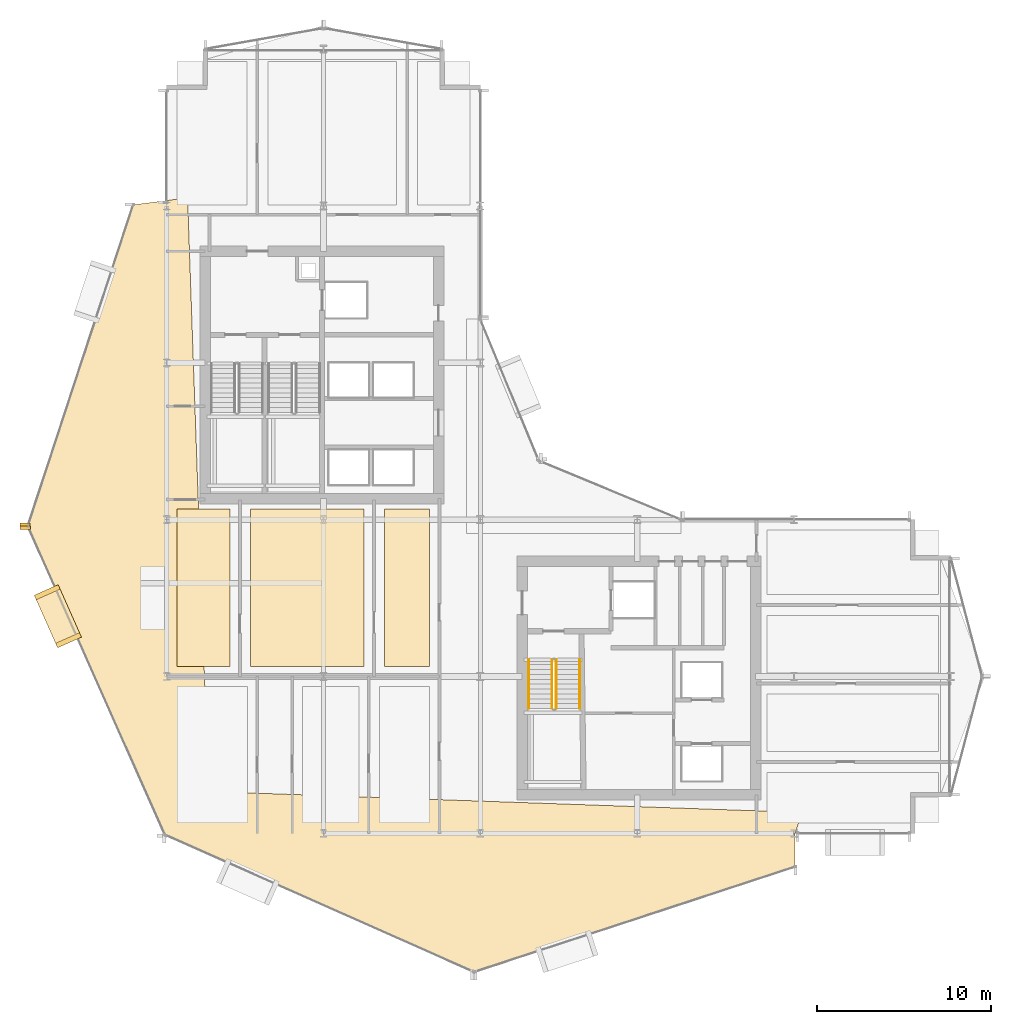
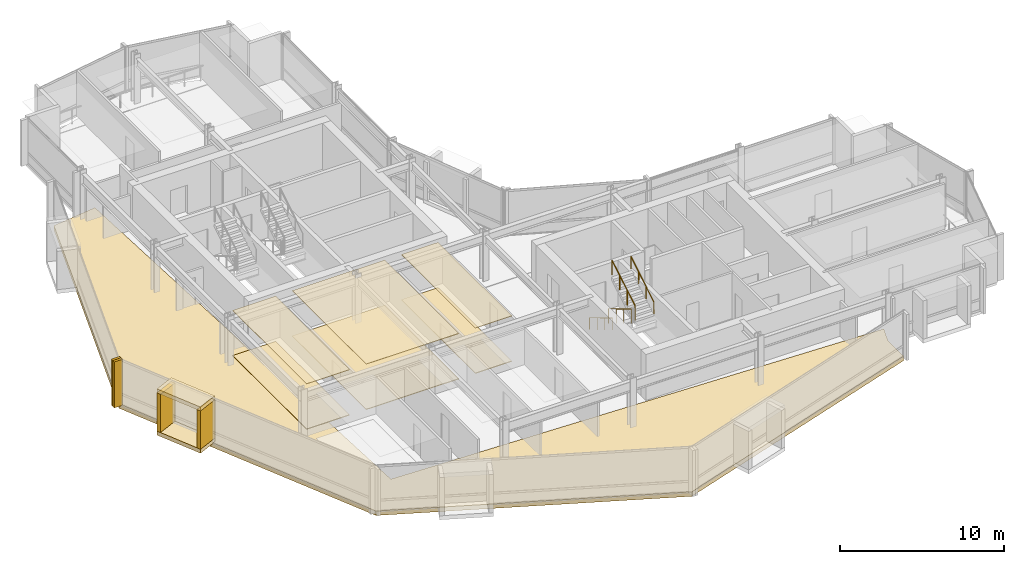
# One storey, part 26 of 29: 13 coverings, 4 railings.
"""IFC4 building model written with IfcOpenShell, lengths in metres."""

from ifc_helpers import new_model, si_unit, direction, frame, origin, origin_2d, place, context, subcontext, project, spatial, polyline, rectangle, circle, outline, extrude, material, layer, layer_set, type_object, element, save


model = new_model("IFC4")

# Units and contexts
model_context = context("Model", 3, precision=1e-05, world=origin(), true_north=direction((0.0, 1.0)))
body_context = subcontext(model_context, "Body", "Model", "MODEL_VIEW")
ifc_project = project(units=[si_unit("LENGTHUNIT", "METRE"), si_unit("AREAUNIT", "SQUARE_METRE"), si_unit("VOLUMEUNIT", "CUBIC_METRE"), si_unit("PLANEANGLEUNIT", "RADIAN"), si_unit("MASSUNIT", "GRAM", prefix="KILO")], contexts=[model_context])

# Site, building, storey
site_placement = place(None, origin())
site = spatial("IfcSite", under=ifc_project, at=site_placement, CompositionType="ELEMENT")
building_placement = place(site_placement, origin())
building = spatial("IfcBuilding", under=site, at=building_placement, Name="Solvaryn Broadcast Tower", CompositionType="ELEMENT")
storey_placement = place(building_placement, frame((0.0, 0.0, 121.10009765625)))
storey = spatial("IfcBuildingStorey", under=building, at=storey_placement, Name="L29", CompositionType="ELEMENT", Elevation=121.10009765625)

# Coverings
ifc_material_1 = material(Name="Micro-Perforated Acoustic Gypsum Ceiling", Category="concrete")
ifc_layer_1 = layer(ifc_material_1, 0.0400390625)
ifc_layer_set_1 = layer_set([ifc_layer_1], Name="CV-CEIL-ACOUSTIC")
covering_type_1 = type_object("IfcCoveringType", Name="CV-CEIL-ACOUSTIC", PredefinedType="CEILING", material=ifc_layer_set_1)
covering_1_placement = place(storey_placement, frame((0.0, 0.0, 3.3798828125)))
element("IfcCovering", 1, at=covering_1_placement, inside=storey, type_object=covering_type_1, Name="L29 Room Acoustic Ceiling 1", PredefinedType="CEILING", context=body_context, shape_type="SweptSolid", body=[
    extrude(outline(polyline([(9.60009765625, 18.570068359375), (12.6298828125, 18.570068359375), (12.6298828125, 27.60009765625), (9.60009765625, 27.60009765625), (9.60009765625, 18.570068359375)])), origin(), (0.0, 0.0, 1.0), 0.0400390625),
])
covering_2_placement = place(storey_placement, frame((0.0, 0.0, 3.3798828125)))
element("IfcCovering", 2, at=covering_2_placement, inside=storey, type_object=covering_type_1, Name="L29 Room Acoustic Ceiling 2", PredefinedType="CEILING", context=body_context, shape_type="SweptSolid", body=[
    extrude(outline(polyline([(13.800048828125, 18.570068359375), (20.330078125, 18.570068359375), (20.330078125, 27.60009765625), (13.800048828125, 27.60009765625), (13.800048828125, 18.570068359375)])), origin(), (0.0, 0.0, 1.0), 0.0400390625),
])
covering_3_placement = place(storey_placement, frame((0.0, 0.0, 3.3798828125)))
element("IfcCovering", 3, at=covering_3_placement, inside=storey, type_object=covering_type_1, Name="L29 Room Acoustic Ceiling 3", PredefinedType="CEILING", context=body_context, shape_type="SweptSolid", body=[
    extrude(outline(polyline([(21.5, 18.570068359375), (24.080078125, 18.570068359375), (24.080078125, 27.60009765625), (21.5, 27.60009765625), (21.5, 18.570068359375)])), origin(), (0.0, 0.0, 1.0), 0.0400390625),
])
ifc_material_2 = material(Name="Newsroom Raised Data Access Flooring", Category="steel")
ifc_layer_2 = layer(ifc_material_2, 0.050048828125)
ifc_layer_set_2 = layer_set([ifc_layer_2], Name="CV-FLOOR-RAISED")
covering_type_2 = type_object("IfcCoveringType", Name="CV-FLOOR-RAISED", PredefinedType="FLOORING", material=ifc_layer_set_2)
covering_4_placement = place(storey_placement, origin())
element("IfcCovering", 4, at=covering_4_placement, inside=storey, type_object=covering_type_2, Name="L29 Room Acoustic Floor Finish 1", PredefinedType="FLOORING", context=body_context, shape_type="SweptSolid", body=[
    extrude(outline(polyline([(9.60009765625, 18.570068359375), (12.6298828125, 18.570068359375), (12.6298828125, 27.60009765625), (9.60009765625, 27.60009765625), (9.60009765625, 18.570068359375)])), origin(), (0.0, 0.0, 1.0), 0.0498046875),
])
covering_5_placement = place(storey_placement, origin())
element("IfcCovering", 5, at=covering_5_placement, inside=storey, type_object=covering_type_2, Name="L29 Room Acoustic Floor Finish 2", PredefinedType="FLOORING", context=body_context, shape_type="SweptSolid", body=[
    extrude(outline(polyline([(13.800048828125, 18.570068359375), (20.330078125, 18.570068359375), (20.330078125, 27.60009765625), (13.800048828125, 27.60009765625), (13.800048828125, 18.570068359375)])), origin(), (0.0, 0.0, 1.0), 0.0498046875),
])
covering_6_placement = place(storey_placement, origin())
element("IfcCovering", 6, at=covering_6_placement, inside=storey, type_object=covering_type_2, Name="L29 Room Acoustic Floor Finish 3", PredefinedType="FLOORING", context=body_context, shape_type="SweptSolid", body=[
    extrude(outline(polyline([(21.5, 18.570068359375), (24.080078125, 18.570068359375), (24.080078125, 27.60009765625), (21.5, 27.60009765625), (21.5, 18.570068359375)])), origin(), (0.0, 0.0, 1.0), 0.0498046875),
])
ifc_material_3 = material(Name="Glazed Architectural Terracotta Rainscreen Cladding", Category="masonry")
ifc_layer_3 = layer(ifc_material_3, 0.280029296875)
ifc_layer_set_3 = layer_set([ifc_layer_3], Name="CV-TC-CLAD")
covering_type_3 = type_object("IfcCoveringType", Name="CV-TC-CLAD", PredefinedType="CLADDING", material=ifc_layer_set_3)
for number, where, z_axis, x_axis, name in (
    (7, (2.75390625, 21.45703125, 3.1298828125), (0.0, 0.0, 1.0), (0.405939269498, -0.913900054426, 0.0), "L29 Projecting Stone Window Box Hood 2"),
    (8, (2.75390625, 21.45703125, -0.01025390625), (0.0, 0.0, 1.0), (0.405939269498, -0.913900054426, 0.0), "L29 Projecting Stone Window Box Sill 2"),
):
    element("IfcCovering", number, at=place(storey_placement, frame(where, z_axis=z_axis, x_axis=x_axis)), inside=storey, type_object=covering_type_3, Name=name, PredefinedType="CLADDING", context=body_context, shape_type="SweptSolid", body=[
        extrude(rectangle(XDim=3.300048828125, YDim=1.5, at=origin_2d()), origin(), (0.0, 0.0, 1.0), 0.300048828125),
    ])
for number, where, z_axis, x_axis, name in (
    (9, (2.14111328125, 22.8369140625, 0.27978515625), (0.0, 0.0, 1.0), (0.405939269498, -0.913900054426, 0.0), "L29 Projecting Stone Window Box Cheek 2-1"),
    (10, (3.366943359375, 20.076904296875, 0.27978515625), (0.0, 0.0, 1.0), (0.405939269498, -0.913900054426, 0.0), "L29 Projecting Stone Window Box Cheek 2-2"),
):
    element("IfcCovering", number, at=place(storey_placement, frame(where, z_axis=z_axis, x_axis=x_axis)), inside=storey, type_object=covering_type_3, Name=name, PredefinedType="CLADDING", context=body_context, shape_type="SweptSolid", body=[
        extrude(rectangle(XDim=0.280029296875, YDim=1.5, at=origin_2d()), origin(), (0.0, 0.0, 1.0), 2.860107421875),
    ])
ifc_material_4 = material(Name="Extruded Architectural Terracotta Fin", Category="masonry")
ifc_layer_4 = layer(ifc_material_4, 0.179931640625)
ifc_layer_set_4 = layer_set([ifc_layer_4], Name="CV-TC-FIN")
covering_type_4 = type_object("IfcCoveringType", Name="CV-TC-FIN", PredefinedType="USERDEFINED", material=ifc_layer_set_4)
for number, where, z_axis, x_axis, name in (
    (11, (0.872314453125, 26.720703125, 0.0), (0.0, 0.0, 1.0), (1.0, 0.0, 0.0), "L29 Terracotta Vertical Fin FIN-L29-DR1-M01"),
    (12, (0.8818359375, 26.535888671875, 0.0), (0.0, 0.0, 1.0), (1.0, 0.0, 0.0), "L29 Terracotta Vertical Fin FIN-L29-DR2-M00"),
):
    element("IfcCovering", number, at=place(storey_placement, frame(where, z_axis=z_axis, x_axis=x_axis)), inside=storey, type_object=covering_type_4, Name=name, ObjectType="FIN", PredefinedType="USERDEFINED", context=body_context, shape_type="SweptSolid", body=[
        extrude(rectangle(XDim=0.580078125, YDim=0.179931640625, at=origin_2d()), origin(), (0.0, 0.0, 1.0), 3.419921875),
    ])
ifc_material_5 = material(Name="Sculpted Architectural Terracotta Wave Fascia", Category="masonry")
ifc_layer_5 = layer(ifc_material_5, 0.340087890625)
ifc_layer_set_5 = layer_set([ifc_layer_5], Name="CV-WAVE-TRAY")
covering_type_5 = type_object("IfcCoveringType", Name="CV-WAVE-TRAY", PredefinedType="CLADDING", material=ifc_layer_set_5)
covering_7_placement = place(storey_placement, frame((0.0, 0.0, -0.300048828125)))
element("IfcCovering", 13, at=covering_7_placement, inside=storey, type_object=covering_type_5, Name="L29 Stepped Cylindrical Drum Floor Apron", PredefinedType="CLADDING", context=body_context, shape_type="SweptSolid", body=[
    extrude(outline(polyline([(10.199951171875, 45.467041015625), (7.0791015625, 45.06689453125), (1.033935546875, 26.635986328125), (8.907958984375, 8.907958984375), (26.635986328125, 1.033935546875), (45.06689453125, 7.0791015625), (45.06689453125, 9.0), (45.467041015625, 10.199951171875), (11.39990234375, 11.39990234375), (10.199951171875, 45.467041015625)])), origin(), (0.0, 0.0, 1.0), 0.329833984375),
])

# Railings
ifc_material_6 = material(Name="Painted Steel Stair Well Guard", Category="steel")
railing_type_1 = type_object("IfcRailingType", Name="RL-STAIR-GUARD", PredefinedType="BALUSTRADE", material=ifc_material_6)
railing_1_placement = place(storey_placement, frame((31.110107421875, 18.9599609375, 0.16796875)))
element("IfcRailing", 14, at=railing_1_placement, inside=storey, type_object=railing_type_1, Name="L29 ST3 stair guard 1", PredefinedType="BALUSTRADE", context=body_context, shape_type="SweptSolid", body=[
    extrude(circle(Radius=0.02392578125, at=origin_2d()), frame((0.0, 0.0, 1.076171875), z_axis=(0.0, -0.857242210791, 0.514913383045), x_axis=(1.0, 0.0, 0.0)), (0.0, 0.0, 1.0), 3.266357421875),
    extrude(circle(Radius=0.02099609375, at=origin_2d()), origin(), (0.0, 0.0, 1.0), 1.052001953125),
    extrude(circle(Radius=0.02099609375, at=origin_2d()), frame((0.0, -0.933349609375, 0.560546875)), (0.0, 0.0, 1.0), 1.052001953125),
    extrude(circle(Radius=0.02099609375, at=origin_2d()), frame((0.0, -1.86669921875, 1.121337890625)), (0.0, 0.0, 1.0), 1.052001953125),
    extrude(circle(Radius=0.02099609375, at=origin_2d()), frame((0.0, -2.800048828125, 1.681884765625)), (0.0, 0.0, 1.0), 1.052001953125),
])
railing_2_placement = place(storey_placement, frame((31.360107421875, 16.159912109375, 2.01806640625)))
element("IfcRailing", 15, at=railing_2_placement, inside=storey, type_object=railing_type_1, Name="L29 ST3 stair guard 3", PredefinedType="BALUSTRADE", context=body_context, shape_type="SweptSolid", body=[
    extrude(circle(Radius=0.02392578125, at=origin_2d()), frame((0.0, 0.0, 1.076171875), z_axis=(0.0, 0.857242210791, 0.514913383045), x_axis=(-1.0, 0.0, 0.0)), (0.0, 0.0, 1.0), 3.266357421875),
    extrude(circle(Radius=0.02099609375, at=origin_2d()), origin(), (0.0, 0.0, 1.0), 1.052001953125),
    extrude(circle(Radius=0.02099609375, at=origin_2d()), frame((0.0, 0.933349609375, 0.560546875)), (0.0, 0.0, 1.0), 1.052001953125),
    extrude(circle(Radius=0.02099609375, at=origin_2d()), frame((0.0, 1.86669921875, 1.121337890625)), (0.0, 0.0, 1.0), 1.052001953125),
    extrude(circle(Radius=0.02099609375, at=origin_2d()), frame((0.0, 2.800048828125, 1.681884765625)), (0.0, 0.0, 1.0), 1.052001953125),
])
ifc_material_7 = material(Name="Brushed Stainless Steel Tubular Handrail", Category="steel")
railing_type_2 = type_object("IfcRailingType", Name="RL-STAIR-HANDRAIL", PredefinedType="HANDRAIL", material=ifc_material_7)
railing_3_placement = place(storey_placement, frame((29.77001953125, 18.9599609375, 0.16796875)))
element("IfcRailing", 16, at=railing_3_placement, inside=storey, type_object=railing_type_2, Name="L29 ST3 stair handrail 1", PredefinedType="HANDRAIL", context=body_context, shape_type="SweptSolid", body=[
    extrude(circle(Radius=0.02392578125, at=origin_2d()), frame((0.0, 0.0, 0.8759765625), z_axis=(0.0, -0.857242210791, 0.514913383045), x_axis=(1.0, 0.0, 0.0)), (0.0, 0.0, 1.0), 3.266357421875),
    extrude(circle(Radius=0.02099609375, at=origin_2d()), origin(), (0.0, 0.0, 1.0), 0.851806640625),
    extrude(circle(Radius=0.02099609375, at=origin_2d()), frame((0.0, -0.933349609375, 0.560546875)), (0.0, 0.0, 1.0), 0.851806640625),
    extrude(circle(Radius=0.02099609375, at=origin_2d()), frame((0.0, -1.86669921875, 1.121337890625)), (0.0, 0.0, 1.0), 0.851806640625),
    extrude(circle(Radius=0.02099609375, at=origin_2d()), frame((0.0, -2.800048828125, 1.681884765625)), (0.0, 0.0, 1.0), 0.851806640625),
])
railing_4_placement = place(storey_placement, frame((32.699951171875, 16.159912109375, 2.01806640625)))
element("IfcRailing", 17, at=railing_4_placement, inside=storey, type_object=railing_type_2, Name="L29 ST3 stair handrail 2", PredefinedType="HANDRAIL", context=body_context, shape_type="SweptSolid", body=[
    extrude(circle(Radius=0.02392578125, at=origin_2d()), frame((0.0, 0.0, 0.8759765625), z_axis=(0.0, 0.857242210791, 0.514913383045), x_axis=(-1.0, 0.0, 0.0)), (0.0, 0.0, 1.0), 3.266357421875),
    extrude(circle(Radius=0.02099609375, at=origin_2d()), origin(), (0.0, 0.0, 1.0), 0.851806640625),
    extrude(circle(Radius=0.02099609375, at=origin_2d()), frame((0.0, 0.933349609375, 0.560546875)), (0.0, 0.0, 1.0), 0.851806640625),
    extrude(circle(Radius=0.02099609375, at=origin_2d()), frame((0.0, 1.86669921875, 1.121337890625)), (0.0, 0.0, 1.0), 0.851806640625),
    extrude(circle(Radius=0.02099609375, at=origin_2d()), frame((0.0, 2.800048828125, 1.681884765625)), (0.0, 0.0, 1.0), 0.851806640625),
])

save(model, "model.ifc")
